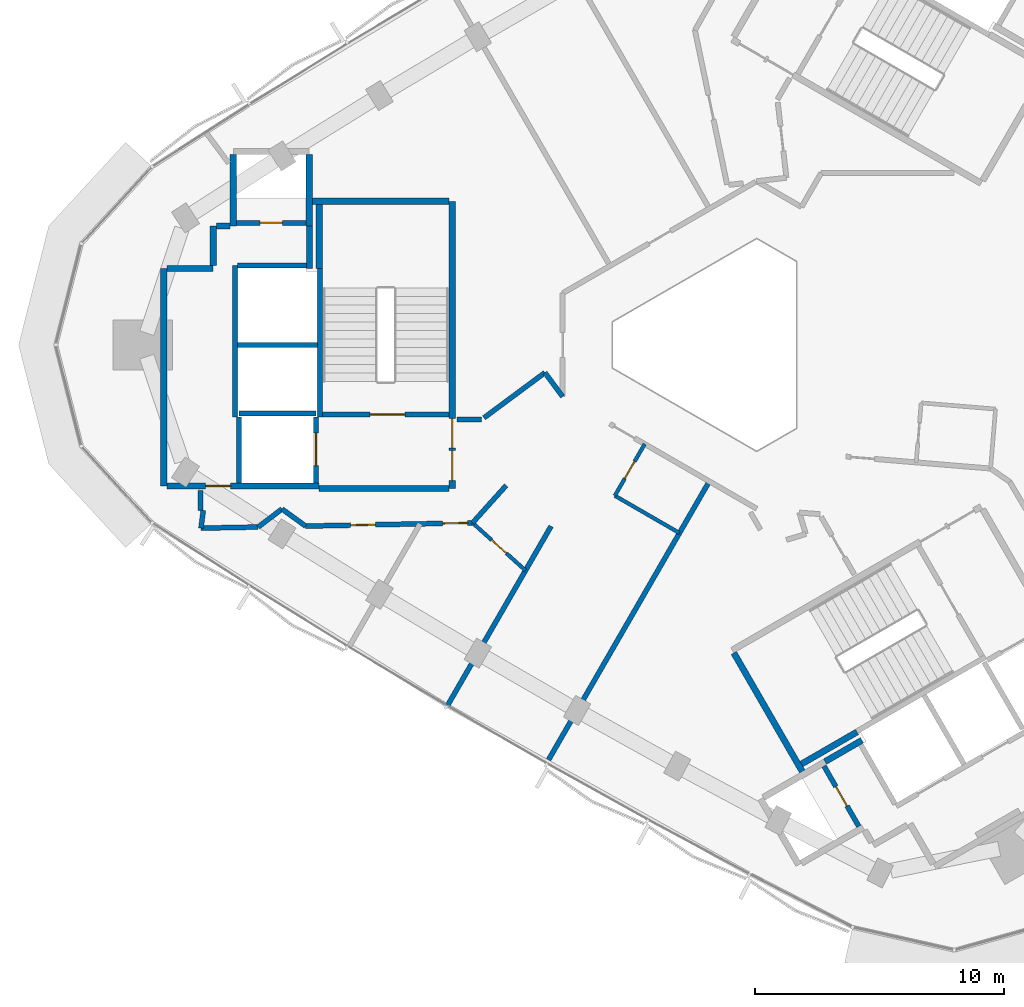
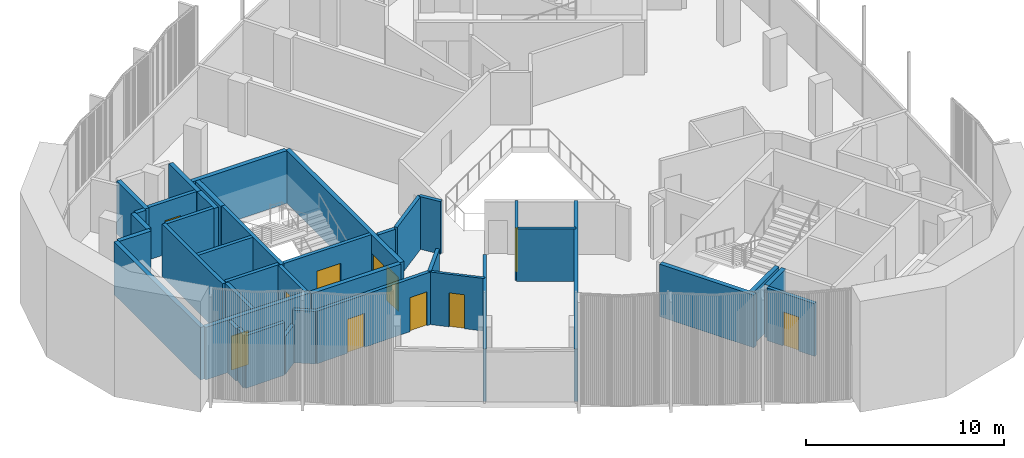
# One storey, part 6 of 12: 40 walls, 11 doors, 11 openings.
"""IFC4 building model written with IfcOpenShell, lengths in metres."""

from ifc_helpers import new_model, si_unit, direction, frame, frame_2d, origin, place, context, subcontext, project, spatial, rectangle, extrude, material, layer, layer_set, type_object, element, fill, save


model = new_model("IFC4")

# Units and contexts
model_context = context("Model", 3, precision=1e-05, world=origin(), true_north=direction((0.0, 1.0)))
body_context = subcontext(model_context, "Body", "Model", "MODEL_VIEW")
ifc_project = project(units=[si_unit("LENGTHUNIT", "METRE"), si_unit("AREAUNIT", "SQUARE_METRE"), si_unit("VOLUMEUNIT", "CUBIC_METRE"), si_unit("PLANEANGLEUNIT", "RADIAN"), si_unit("MASSUNIT", "GRAM", prefix="KILO")], contexts=[model_context])

# Site, building, storey
site_placement = place(None, origin())
site = spatial("IfcSite", under=ifc_project, at=site_placement, CompositionType="ELEMENT")
building_placement = place(site_placement, origin())
building = spatial("IfcBuilding", under=site, at=building_placement, Name="Tamra Quay Hotel Tower", CompositionType="ELEMENT")
storey_placement = place(building_placement, frame((0.0, 0.0, 273.0)))
storey = spatial("IfcBuildingStorey", under=building, at=storey_placement, Name="L69", CompositionType="ELEMENT", Elevation=273.0)

# Walls
ifc_material_1 = material(Name="Concrete M70", Category="concrete")
ifc_layer_1 = layer(ifc_material_1, 0.199951171875)
ifc_layer_set_1 = layer_set([ifc_layer_1], Name="Concrete M70 core wall 200")
wall_type_1 = type_object("IfcWallType", Name="Concrete M70 core wall 200", PredefinedType="SHEAR", material=ifc_layer_set_1)
wall_1_placement = place(storey_placement, frame((-16.162109375, 3.073974609375, 0.0), z_axis=(0.0, 0.0, 1.0), x_axis=(0.0, -1.0, 0.0)))
element("IfcWall", 1, at=wall_1_placement, inside=storey, type_object=wall_type_1, Name="CW2", PredefinedType="SHEAR", context=body_context, shape_type="SweptSolid", body=[
    extrude(rectangle(XDim=5.97412109375, YDim=0.199951171875, at=frame_2d((2.987060546875, 0.0))), origin(), (0.0, 0.0, 1.0), 3.25),
])
wall_2_placement = place(storey_placement, frame((-19.5625, -2.900146484375, 0.0), z_axis=(0.0, 0.0, 1.0), x_axis=(0.0, 1.0, 0.0)))
element("IfcWall", 2, at=wall_2_placement, inside=storey, type_object=wall_type_1, Name="CW2", PredefinedType="SHEAR", context=body_context, shape_type="SweptSolid", body=[
    extrude(rectangle(XDim=6.100341796875, YDim=0.199951171875, at=frame_2d((3.05029296875, 0.0))), origin(), (0.0, 0.0, 1.0), 3.25),
])

# Wall, opening, door
wall_3_placement = place(storey_placement, frame((-10.96337890625, -2.800048828125, 0.0), z_axis=(0.0, 0.0, 1.0), x_axis=(-1.0, 0.0, 0.0)))
wall_3 = element("IfcWall", 3, at=wall_3_placement, inside=storey, type_object=wall_type_1, Name="CW2", PredefinedType="SHEAR", context=body_context, shape_type="SweptSolid", body=[
    extrude(rectangle(XDim=5.097900390625, YDim=0.199951171875, at=frame_2d((2.548828125, 0.0))), origin(), (0.0, 0.0, 1.0), 3.25),
])
opening_1_placement = place(wall_3_placement, frame((1.77392578125, 0.0, 0.0)))
opening_1 = element("IfcOpeningElement", 4, at=opening_1_placement, cuts=wall_3, Name="Opening FD2", PredefinedType="OPENING", context=body_context, shape_type="SweptSolid", body=[
    extrude(rectangle(XDim=1.39990234375, YDim=2.10009765625, at=frame_2d((0.699951171875, 1.050048828125))), frame((0.0, 0.10986328125, 0.0), z_axis=(0.0, -1.0, 0.0), x_axis=(1.0, 0.0, 0.0)), (0.0, 0.0, 1.0), 0.219970703125),
])
ifc_material_2 = material(Name="Core door FD2 1400x2100 RH")
door_type_1 = type_object("IfcDoorType", Name="Core door FD2 1400x2100 RH", OperationType="NOTDEFINED", PredefinedType="DOOR", material=ifc_material_2)
door_1_placement = place(opening_1_placement, origin())
door_1 = element("IfcDoor", 5, at=door_1_placement, inside=storey, type_object=door_type_1, Name="FD2", OperationType="SINGLE_SWING_RIGHT", OverallHeight=2.10009765625, OverallWidth=1.39990234375, PredefinedType="DOOR", context=body_context, shape_type="SweptSolid", body=[
    extrude(rectangle(XDim=1.39990234375, YDim=2.10009765625, at=frame_2d((0.699951171875, 1.050048828125))), frame((0.0, 0.02490234375, 0.0), z_axis=(0.0, -1.0, 0.0), x_axis=(1.0, 0.0, 0.0)), (0.0, 0.0, 1.0), 0.050048828125),
])
fill(opening_1, door_1)

# Wall
wall_4_placement = place(storey_placement, frame((-16.26318359375, 0.0, 0.0), z_axis=(0.0, 0.0, 1.0), x_axis=(-1.0, 0.0, 0.0)))
element("IfcWall", 6, at=wall_4_placement, inside=storey, type_object=wall_type_1, Name="CW2", PredefinedType="SHEAR", context=body_context, shape_type="SweptSolid", body=[
    extrude(rectangle(XDim=3.1982421875, YDim=0.199951171875, at=frame_2d((1.59912109375, 0.0))), origin(), (0.0, 0.0, 1.0), 3.25),
])

# Wall, opening, door
wall_5_placement = place(storey_placement, frame((-19.51123046875, 4.91015625, 0.0), z_axis=(0.0, 0.0, 1.0), x_axis=(1.0, 0.0, 0.0)))
wall_5 = element("IfcWall", 7, at=wall_5_placement, inside=storey, type_object=wall_type_1, Name="CW2", PredefinedType="SHEAR", context=body_context, shape_type="SweptSolid", body=[
    extrude(rectangle(XDim=2.7978515625, YDim=0.199951171875, at=frame_2d((1.39892578125, 0.0))), origin(), (0.0, 0.0, 1.0), 3.25),
])
opening_2_placement = place(wall_5_placement, frame((0.948974609375, 0.0, 0.0)))
opening_2 = element("IfcOpeningElement", 8, at=opening_2_placement, cuts=wall_5, Name="Opening D1", PredefinedType="OPENING", context=body_context, shape_type="SweptSolid", body=[
    extrude(rectangle(XDim=0.89990234375, YDim=2.10009765625, at=frame_2d((0.449951171875, 1.050048828125))), frame((0.0, 0.10986328125, 0.0), z_axis=(0.0, -1.0, 0.0), x_axis=(1.0, 0.0, 0.0)), (0.0, 0.0, 1.0), 0.219970703125),
])
ifc_material_3 = material(Name="Core door D1 900x2100 LH")
door_type_2 = type_object("IfcDoorType", Name="Core door D1 900x2100 LH", OperationType="NOTDEFINED", PredefinedType="DOOR", material=ifc_material_3)
door_2_placement = place(opening_2_placement, origin())
door_2 = element("IfcDoor", 9, at=door_2_placement, inside=storey, type_object=door_type_2, Name="D1", OperationType="SINGLE_SWING_LEFT", OverallHeight=2.10009765625, OverallWidth=0.89990234375, PredefinedType="DOOR", context=body_context, shape_type="SweptSolid", body=[
    extrude(rectangle(XDim=0.89990234375, YDim=2.10009765625, at=frame_2d((0.449951171875, 1.050048828125))), frame((0.0, 0.02490234375, 0.0), z_axis=(0.0, -1.0, 0.0), x_axis=(1.0, 0.0, 0.0)), (0.0, 0.0, 1.0), 0.050048828125),
])
fill(opening_2, door_2)

# Walls
wall_6_placement = place(storey_placement, frame((-19.46240234375, 3.2001953125, 0.0), z_axis=(0.0, 0.0, 1.0), x_axis=(1.0, 0.0, 0.0)))
element("IfcWall", 10, at=wall_6_placement, inside=storey, type_object=wall_type_1, Name="CW2", PredefinedType="SHEAR", context=body_context, shape_type="SweptSolid", body=[
    extrude(rectangle(XDim=2.759033203125, YDim=0.199951171875, at=frame_2d((1.37939453125, 0.0))), origin(), (0.0, 0.0, 1.0), 3.25),
])
wall_7_placement = place(storey_placement, frame((-19.412353515625, -2.75, 0.0), z_axis=(0.0, 0.0, 1.0), x_axis=(1.0, 0.0, 0.0)))
element("IfcWall", 11, at=wall_7_placement, inside=storey, type_object=wall_type_1, Name="CW2", PredefinedType="SHEAR", context=body_context, shape_type="SweptSolid", body=[
    extrude(rectangle(XDim=3.10009765625, YDim=0.199951171875, at=frame_2d((1.550048828125, 0.0))), origin(), (0.0, 0.0, 1.0), 3.25),
])

# Wall, opening, door
wall_8_placement = place(storey_placement, frame((-16.312255859375, -2.898193359375, 0.0), z_axis=(0.0, 0.0, 1.0), x_axis=(0.0, -1.0, 0.0)))
wall_8 = element("IfcWall", 12, at=wall_8_placement, inside=storey, type_object=wall_type_1, Name="CW2", PredefinedType="SHEAR", context=body_context, shape_type="SweptSolid", body=[
    extrude(rectangle(XDim=2.65087890625, YDim=0.199951171875, at=frame_2d((1.325439453125, 0.0))), origin(), (0.0, 0.0, 1.0), 3.25),
])
opening_3_placement = place(wall_8_placement, frame((0.65185546875, 0.0, 0.0)))
opening_3 = element("IfcOpeningElement", 13, at=opening_3_placement, cuts=wall_8, Name="Opening LD", PredefinedType="OPENING", context=body_context, shape_type="SweptSolid", body=[
    extrude(rectangle(XDim=1.300048828125, YDim=2.10009765625, at=frame_2d((0.64990234375, 1.050048828125))), frame((0.0, 0.10986328125, 0.0), z_axis=(0.0, -1.0, 0.0), x_axis=(1.0, 0.0, 0.0)), (0.0, 0.0, 1.0), 0.219970703125),
])
ifc_material_4 = material(Name="Landing door LD 1300 sliding to right")
door_type_3 = type_object("IfcDoorType", Name="Landing door LD 1300 sliding to right", OperationType="NOTDEFINED", PredefinedType="DOOR", material=ifc_material_4)
door_3_placement = place(opening_3_placement, origin())
door_3 = element("IfcDoor", 14, at=door_3_placement, inside=storey, type_object=door_type_3, Name="LD", OperationType="SLIDING_TO_RIGHT", OverallHeight=2.10009765625, OverallWidth=1.300048828125, PredefinedType="DOOR", context=body_context, shape_type="SweptSolid", body=[
    extrude(rectangle(XDim=1.300048828125, YDim=2.10009765625, at=frame_2d((0.64990234375, 1.050048828125))), frame((0.0, 0.02490234375, 0.0), z_axis=(0.0, -1.0, 0.0), x_axis=(1.0, 0.0, 0.0)), (0.0, 0.0, 1.0), 0.050048828125),
])
fill(opening_3, door_3)

# Wall
wall_9_placement = place(storey_placement, frame((-19.412353515625, -5.549072265625, 0.0), z_axis=(0.0, 0.0, 1.0), x_axis=(0.0, 1.0, 0.0)))
element("IfcWall", 15, at=wall_9_placement, inside=storey, type_object=wall_type_1, Name="CW2", PredefinedType="SHEAR", context=body_context, shape_type="SweptSolid", body=[
    extrude(rectangle(XDim=2.65087890625, YDim=0.199951171875, at=frame_2d((1.325439453125, 0.0))), origin(), (0.0, 0.0, 1.0), 3.25),
])

# Wall, opening, door
wall_10_placement = place(storey_placement, frame((5.50341796875, -19.352294921875, 0.0), z_axis=(0.0, 0.0, 1.0), x_axis=(-0.499986818241, 0.866033014143, 0.0)))
wall_10 = element("IfcWall", 16, at=wall_10_placement, inside=storey, type_object=wall_type_1, Name="CW2", PredefinedType="SHEAR", context=body_context, shape_type="SweptSolid", body=[
    extrude(rectangle(XDim=2.7978515625, YDim=0.199951171875, at=frame_2d((1.39892578125, 0.0))), origin(), (0.0, 0.0, 1.0), 3.25),
])
opening_4_placement = place(wall_10_placement, frame((0.948974609375, 0.0, 0.0)))
opening_4 = element("IfcOpeningElement", 17, at=opening_4_placement, cuts=wall_10, Name="Opening D1", PredefinedType="OPENING", context=body_context, shape_type="SweptSolid", body=[
    extrude(rectangle(XDim=0.89990234375, YDim=2.10009765625, at=frame_2d((0.449951171875, 1.050048828125))), frame((0.0, 0.10986328125, 0.0), z_axis=(0.0, -1.0, 0.0), x_axis=(1.0, 0.0, 0.0)), (0.0, 0.0, 1.0), 0.219970703125),
])
ifc_material_5 = material(Name="Core door D1 900x2100 RH")
door_type_4 = type_object("IfcDoorType", Name="Core door D1 900x2100 RH", OperationType="NOTDEFINED", PredefinedType="DOOR", material=ifc_material_5)
door_4_placement = place(opening_4_placement, origin())
door_4 = element("IfcDoor", 18, at=door_4_placement, inside=storey, type_object=door_type_4, Name="D1", OperationType="SINGLE_SWING_RIGHT", OverallHeight=2.10009765625, OverallWidth=0.89990234375, PredefinedType="DOOR", context=body_context, shape_type="SweptSolid", body=[
    extrude(rectangle(XDim=0.89990234375, YDim=2.10009765625, at=frame_2d((0.449951171875, 1.050048828125))), frame((0.0, 0.02490234375, 0.0), z_axis=(0.0, -1.0, 0.0), x_axis=(1.0, 0.0, 0.0)), (0.0, 0.0, 1.0), 0.050048828125),
])
fill(opening_4, door_4)

# Wall, openings, doors
ifc_layer_2 = layer(ifc_material_1, 0.25)
ifc_layer_set_2 = layer_set([ifc_layer_2], Name="Concrete M70 core wall 250")
wall_type_2 = type_object("IfcWallType", Name="Concrete M70 core wall 250", PredefinedType="SHEAR", material=ifc_layer_set_2)
wall_11_placement = place(storey_placement, frame((-10.83740234375, 5.77490234375, 0.0), z_axis=(0.0, 0.0, 1.0), x_axis=(0.0, -1.0, 0.0)))
wall_11 = element("IfcWall", 19, at=wall_11_placement, inside=storey, type_object=wall_type_2, Name="CW1", PredefinedType="SHEAR", context=body_context, shape_type="SweptSolid", body=[
    extrude(rectangle(XDim=11.5498046875, YDim=0.25, at=frame_2d((5.77490234375, 0.0))), origin(), (0.0, 0.0, 1.0), 3.25),
])
opening_5_placement = place(wall_11_placement, frame((10.02490234375, 0.0, 0.0)))
opening_5 = element("IfcOpeningElement", 20, at=opening_5_placement, cuts=wall_11, Name="Opening FD1", PredefinedType="OPENING", context=body_context, shape_type="SweptSolid", body=[
    extrude(rectangle(XDim=1.199951171875, YDim=2.10009765625, at=frame_2d((0.60009765625, 1.050048828125))), frame((0.0, 0.135009765625, 0.0), z_axis=(0.0, -1.0, 0.0), x_axis=(1.0, 0.0, 0.0)), (0.0, 0.0, 1.0), 0.27001953125),
])
opening_6_placement = place(wall_11_placement, frame((8.72509765625, 0.0, 0.0)))
opening_6 = element("IfcOpeningElement", 21, at=opening_6_placement, cuts=wall_11, Name="Opening FD1", PredefinedType="OPENING", context=body_context, shape_type="SweptSolid", body=[
    extrude(rectangle(XDim=1.199951171875, YDim=2.10009765625, at=frame_2d((0.60009765625, 1.050048828125))), frame((0.0, 0.135009765625, 0.0), z_axis=(0.0, -1.0, 0.0), x_axis=(1.0, 0.0, 0.0)), (0.0, 0.0, 1.0), 0.27001953125),
])
ifc_material_6 = material(Name="Core door FD1 1200x2100 LH")
door_type_5 = type_object("IfcDoorType", Name="Core door FD1 1200x2100 LH", OperationType="NOTDEFINED", PredefinedType="DOOR", material=ifc_material_6)
door_5_placement = place(opening_5_placement, origin())
door_5 = element("IfcDoor", 22, at=door_5_placement, inside=storey, type_object=door_type_5, Name="FD1", OperationType="SINGLE_SWING_LEFT", OverallHeight=2.10009765625, OverallWidth=1.199951171875, PredefinedType="DOOR", context=body_context, shape_type="SweptSolid", body=[
    extrude(rectangle(XDim=1.199951171875, YDim=2.10009765625, at=frame_2d((0.60009765625, 1.050048828125))), frame((0.0, 0.02490234375, 0.0), z_axis=(0.0, -1.0, 0.0), x_axis=(1.0, 0.0, 0.0)), (0.0, 0.0, 1.0), 0.050048828125),
])
fill(opening_5, door_5)
ifc_material_7 = material(Name="Core door FD1 1200x2100 RH")
door_type_6 = type_object("IfcDoorType", Name="Core door FD1 1200x2100 RH", OperationType="NOTDEFINED", PredefinedType="DOOR", material=ifc_material_7)
door_6_placement = place(opening_6_placement, origin())
door_6 = element("IfcDoor", 23, at=door_6_placement, inside=storey, type_object=door_type_6, Name="FD1", OperationType="SINGLE_SWING_RIGHT", OverallHeight=2.10009765625, OverallWidth=1.199951171875, PredefinedType="DOOR", context=body_context, shape_type="SweptSolid", body=[
    extrude(rectangle(XDim=1.199951171875, YDim=2.10009765625, at=frame_2d((0.60009765625, 1.050048828125))), frame((0.0, 0.02490234375, 0.0), z_axis=(0.0, -1.0, 0.0), x_axis=(1.0, 0.0, 0.0)), (0.0, 0.0, 1.0), 0.050048828125),
])
fill(opening_6, door_6)

# Wall
wall_12_placement = place(storey_placement, frame((-22.437255859375, -5.675048828125, 0.0), z_axis=(0.0, 0.0, 1.0), x_axis=(0.0, 1.0, 0.0)))
element("IfcWall", 24, at=wall_12_placement, inside=storey, type_object=wall_type_2, Name="CW1", PredefinedType="SHEAR", context=body_context, shape_type="SweptSolid", body=[
    extrude(rectangle(XDim=8.75, YDim=0.25, at=frame_2d((4.375, 0.0))), origin(), (0.0, 0.0, 1.0), 3.25),
])

# Wall, opening, door
wall_13_placement = place(storey_placement, frame((-16.187255859375, -5.675048828125, 0.0), z_axis=(0.0, 0.0, 1.0), x_axis=(-1.0, 0.0, 0.0)))
wall_13 = element("IfcWall", 25, at=wall_13_placement, inside=storey, type_object=wall_type_2, Name="CW1", PredefinedType="SHEAR", context=body_context, shape_type="SweptSolid", body=[
    extrude(rectangle(XDim=6.12451171875, YDim=0.25, at=frame_2d((3.062255859375, 0.0))), origin(), (0.0, 0.0, 1.0), 3.25),
])
opening_7_placement = place(wall_13_placement, frame((3.562744140625, 0.0, 0.0)))
opening_7 = element("IfcOpeningElement", 26, at=opening_7_placement, cuts=wall_13, Name="Opening FD3", PredefinedType="OPENING", context=body_context, shape_type="SweptSolid", body=[
    extrude(rectangle(XDim=1.0, YDim=2.10009765625, at=frame_2d((0.5, 1.050048828125))), frame((0.0, 0.135009765625, 0.0), z_axis=(0.0, -1.0, 0.0), x_axis=(1.0, 0.0, 0.0)), (0.0, 0.0, 1.0), 0.27001953125),
])
ifc_material_8 = material(Name="Core door FD3 1000x2100 LH")
door_type_7 = type_object("IfcDoorType", Name="Core door FD3 1000x2100 LH", OperationType="NOTDEFINED", PredefinedType="DOOR", material=ifc_material_8)
door_7_placement = place(opening_7_placement, origin())
door_7 = element("IfcDoor", 27, at=door_7_placement, inside=storey, type_object=door_type_7, Name="FD3", OperationType="SINGLE_SWING_LEFT", OverallHeight=2.10009765625, OverallWidth=1.0, PredefinedType="DOOR", context=body_context, shape_type="SweptSolid", body=[
    extrude(rectangle(XDim=1.0, YDim=2.10009765625, at=frame_2d((0.5, 1.050048828125))), frame((0.0, 0.02490234375, 0.0), z_axis=(0.0, -1.0, 0.0), x_axis=(1.0, 0.0, 0.0)), (0.0, 0.0, 1.0), 0.050048828125),
])
fill(opening_7, door_7)

# Walls
wall_14_placement = place(storey_placement, frame((-10.962646484375, -5.77490234375, 0.0), z_axis=(0.0, 0.0, 1.0), x_axis=(-1.0, 0.0, 0.0)))
element("IfcWall", 28, at=wall_14_placement, inside=storey, type_object=wall_type_2, Name="CW1", PredefinedType="SHEAR", context=body_context, shape_type="SweptSolid", body=[
    extrude(rectangle(XDim=5.224609375, YDim=0.25, at=frame_2d((2.6123046875, 0.0))), origin(), (0.0, 0.0, 1.0), 3.25),
])
wall_15_placement = place(storey_placement, frame((-16.47216796875, 5.77490234375, 0.0), z_axis=(0.0, 0.0, 1.0), x_axis=(1.0, 0.0, 0.0)))
element("IfcWall", 29, at=wall_15_placement, inside=storey, type_object=wall_type_2, Name="CW1", PredefinedType="SHEAR", context=body_context, shape_type="SweptSolid", body=[
    extrude(rectangle(XDim=5.509521484375, YDim=0.25, at=frame_2d((2.7548828125, 0.0))), origin(), (0.0, 0.0, 1.0), 3.25),
])
for number, where, z_axis, x_axis, name in (
    (30, (-16.58740234375, 7.649658203125, 0.0), (0.0, 0.0, 1.0), (0.0, -1.0, 0.0), "CW1"),
    (31, (-19.63720703125, 4.784912109375, 0.0), (0.0, 0.0, 1.0), (0.0, 1.0, 0.0), "CW1"),
):
    element("IfcWall", number, at=place(storey_placement, frame(where, z_axis=z_axis, x_axis=x_axis)), inside=storey, type_object=wall_type_2, Name=name, PredefinedType="SHEAR", context=body_context, shape_type="SweptSolid", body=[
        extrude(rectangle(XDim=2.86474609375, YDim=0.25, at=frame_2d((1.432373046875, 0.0))), origin(), (0.0, 0.0, 1.0), 3.25),
    ])
wall_16_placement = place(storey_placement, frame((-16.187255859375, 3.074951171875, 0.0), z_axis=(0.0, 0.0, 1.0), x_axis=(0.0, 1.0, 0.0)))
element("IfcWall", 32, at=wall_16_placement, inside=storey, type_object=wall_type_2, Name="CW1", PredefinedType="SHEAR", context=body_context, shape_type="SweptSolid", body=[
    extrude(rectangle(XDim=2.57470703125, YDim=0.25, at=frame_2d((1.287353515625, 0.0))), origin(), (0.0, 0.0, 1.0), 3.25),
])
wall_17_placement = place(storey_placement, frame((-22.311767578125, 3.074951171875, 0.0), z_axis=(0.0, 0.0, 1.0), x_axis=(1.0, 0.0, 0.0)))
element("IfcWall", 33, at=wall_17_placement, inside=storey, type_object=wall_type_2, Name="CW1", PredefinedType="SHEAR", context=body_context, shape_type="SweptSolid", body=[
    extrude(rectangle(XDim=1.864501953125, YDim=0.25, at=frame_2d((0.93212890625, 0.0))), origin(), (0.0, 0.0, 1.0), 3.25),
])
wall_18_placement = place(storey_placement, frame((-16.577392578125, 4.784912109375, 0.0), z_axis=(0.0, 0.0, 1.0), x_axis=(0.0, -1.0, 0.0)))
element("IfcWall", 34, at=wall_18_placement, inside=storey, type_object=wall_type_2, Name="CW1", PredefinedType="SHEAR", context=body_context, shape_type="SweptSolid", body=[
    extrude(rectangle(XDim=1.7099609375, YDim=0.25, at=frame_2d((0.85498046875, 0.0))), origin(), (0.0, 0.0, 1.0), 3.25),
])
wall_19_placement = place(storey_placement, frame((-20.447265625, 3.200439453125, 0.0), z_axis=(0.0, 0.0, 1.0), x_axis=(0.0, 1.0, 0.0)))
element("IfcWall", 35, at=wall_19_placement, inside=storey, type_object=wall_type_2, Name="CW1", PredefinedType="SHEAR", context=body_context, shape_type="SweptSolid", body=[
    extrude(rectangle(XDim=1.58447265625, YDim=0.25, at=frame_2d((0.792236328125, 0.0))), origin(), (0.0, 0.0, 1.0), 3.25),
])
wall_20_placement = place(storey_placement, frame((-20.32177734375, 4.784912109375, 0.0), z_axis=(0.0, 0.0, 1.0), x_axis=(1.0, 0.0, 0.0)))
element("IfcWall", 36, at=wall_20_placement, inside=storey, type_object=wall_type_2, Name="CW1", PredefinedType="SHEAR", context=body_context, shape_type="SweptSolid", body=[
    extrude(rectangle(XDim=0.55908203125, YDim=0.25, at=frame_2d((0.279541015625, 0.0))), origin(), (0.0, 0.0, 1.0), 3.25),
])
wall_21_placement = place(storey_placement, frame((3.23486328125, -17.15283203125, 0.0), z_axis=(0.0, 0.0, 1.0), x_axis=(-0.500008851346, 0.866020293397, 0.0)))
element("IfcWall", 37, at=wall_21_placement, inside=storey, type_object=wall_type_2, Name="CW1", PredefinedType="SHEAR", context=body_context, shape_type="SweptSolid", body=[
    extrude(rectangle(XDim=5.509765625, YDim=0.25, at=frame_2d((2.7548828125, 0.0))), origin(), (0.0, 0.0, 1.0), 3.25),
])
wall_22_placement = place(storey_placement, frame((5.4306640625, -15.55615234375, 0.0), z_axis=(0.0, 0.0, 1.0), x_axis=(-0.866022940537, -0.500004266446, 0.0)))
element("IfcWall", 38, at=wall_22_placement, inside=storey, type_object=wall_type_2, Name="CW1", PredefinedType="SHEAR", context=body_context, shape_type="SweptSolid", body=[
    extrude(rectangle(XDim=2.57470703125, YDim=0.25, at=frame_2d((1.287353515625, 0.0))), origin(), (0.0, 0.0, 1.0), 3.25),
])
wall_23_placement = place(storey_placement, frame((4.144775390625, -16.748779296875, 0.0), z_axis=(0.0, 0.0, 1.0), x_axis=(0.866038183914, 0.499977863513, 0.0)))
element("IfcWall", 39, at=wall_23_placement, inside=storey, type_object=wall_type_2, Name="CW1", PredefinedType="SHEAR", context=body_context, shape_type="SweptSolid", body=[
    extrude(rectangle(XDim=1.7099609375, YDim=0.25, at=frame_2d((0.85498046875, 0.0))), origin(), (0.0, 0.0, 1.0), 3.25),
])
ifc_material_9 = material(Name="Partition corridor wall")
ifc_layer_3 = layer(ifc_material_9, 0.199951171875)
ifc_layer_set_3 = layer_set([ifc_layer_3], Name="Partition corridor wall")
wall_type_3 = type_object("IfcWallType", Name="Partition corridor wall", PredefinedType="PARTITIONING", material=ifc_layer_set_3)
wall_24_placement = place(storey_placement, frame((-20.949951171875, -6.64990234375, 0.0), z_axis=(0.0, 0.0, 1.0), x_axis=(0.0, 1.0, 0.0)))
element("IfcWall", 40, at=wall_24_placement, inside=storey, type_object=wall_type_3, Name="W-C", PredefinedType="PARTITIONING", context=body_context, shape_type="SweptSolid", body=[
    extrude(rectangle(XDim=0.789794921875, YDim=0.199951171875, at=frame_2d((0.39501953125, 0.0))), origin(), (0.0, 0.0, 1.0), 3.25),
])
wall_25_placement = place(storey_placement, frame((-20.93603515625, -7.363037109375, 0.0), z_axis=(0.0, 0.0, 1.0), x_axis=(0.125330520795, 0.992115044013, 0.0)))
element("IfcWall", 41, at=wall_25_placement, inside=storey, type_object=wall_type_3, Name="W-C", PredefinedType="PARTITIONING", context=body_context, shape_type="SweptSolid", body=[
    extrude(rectangle(XDim=0.71875, YDim=0.199951171875, at=frame_2d((0.359375, 0.0))), origin(), (0.0, 0.0, 1.0), 3.25),
])
wall_26_placement = place(storey_placement, frame((-20.93603515625, -7.364013671875, 0.0), z_axis=(0.0, 0.0, 1.0), x_axis=(0.999810389391, 0.019472679998, 0.0)))
element("IfcWall", 42, at=wall_26_placement, inside=storey, type_object=wall_type_3, Name="W-C", PredefinedType="PARTITIONING", context=body_context, shape_type="SweptSolid", body=[
    extrude(rectangle(XDim=2.29443359375, YDim=0.199951171875, at=frame_2d((1.147216796875, 0.0))), origin(), (0.0, 0.0, 1.0), 3.25),
])
wall_27_placement = place(storey_placement, frame((-18.64208984375, -7.319091796875, 0.0), z_axis=(0.0, 0.0, 1.0), x_axis=(0.798707882989, 0.601718968998, 0.0)))
element("IfcWall", 43, at=wall_27_placement, inside=storey, type_object=wall_type_3, Name="W-C", PredefinedType="PARTITIONING", context=body_context, shape_type="SweptSolid", body=[
    extrude(rectangle(XDim=1.203369140625, YDim=0.199951171875, at=frame_2d((0.6015625, 0.0))), origin(), (0.0, 0.0, 1.0), 2.35009765625),
])
wall_28_placement = place(storey_placement, frame((-17.680908203125, -6.594970703125, 0.0), z_axis=(0.0, 0.0, 1.0), x_axis=(0.810123213102, -0.586259652026, 0.0)))
element("IfcWall", 44, at=wall_28_placement, inside=storey, type_object=wall_type_3, Name="W-C", PredefinedType="PARTITIONING", context=body_context, shape_type="SweptSolid", body=[
    extrude(rectangle(XDim=1.170166015625, YDim=0.199951171875, at=frame_2d((0.5849609375, 0.0))), origin(), (0.0, 0.0, 1.0), 3.25),
])

# Wall, openings, doors
wall_29_placement = place(storey_placement, frame((-16.73193359375, -7.281982421875, 0.0), z_axis=(0.0, 0.0, 1.0), x_axis=(0.999809829903, 0.019501385329, 0.0)))
wall_29 = element("IfcWall", 45, at=wall_29_placement, inside=storey, type_object=wall_type_3, Name="W-C", PredefinedType="PARTITIONING", context=body_context, shape_type="SweptSolid", body=[
    extrude(rectangle(XDim=6.710205078125, YDim=0.199951171875, at=frame_2d((3.35498046875, 0.0))), origin(), (0.0, 0.0, 1.0), 3.25),
])
opening_8_placement = place(wall_29_placement, frame((1.806884765625, 0.0, 0.0)))
opening_8 = element("IfcOpeningElement", 46, at=opening_8_placement, cuts=wall_29, Name="Opening L69-D009", PredefinedType="OPENING", context=body_context, shape_type="SweptSolid", body=[
    extrude(rectangle(XDim=1.0, YDim=2.10009765625, at=frame_2d((0.5, 1.050048828125))), frame((0.0, 0.10986328125, 0.0), z_axis=(0.0, -1.0, 0.0), x_axis=(1.0, 0.0, 0.0)), (0.0, 0.0, 1.0), 0.219970703125),
])
opening_9_placement = place(wall_29_placement, frame((5.51025390625, 0.0, 0.0)))
opening_9 = element("IfcOpeningElement", 47, at=opening_9_placement, cuts=wall_29, Name="Opening L69-D010", PredefinedType="OPENING", context=body_context, shape_type="SweptSolid", body=[
    extrude(rectangle(XDim=1.0, YDim=2.10009765625, at=frame_2d((0.5, 1.050048828125))), frame((0.0, 0.10986328125, 0.0), z_axis=(0.0, -1.0, 0.0), x_axis=(1.0, 0.0, 0.0)), (0.0, 0.0, 1.0), 0.219970703125),
])
ifc_material_10 = material(Name="Door guest room 1000x2100")
door_type_8 = type_object("IfcDoorType", Name="Door guest room 1000x2100", OperationType="NOTDEFINED", PredefinedType="DOOR", material=ifc_material_10)
door_8_placement = place(opening_8_placement, origin())
door_8 = element("IfcDoor", 48, at=door_8_placement, inside=storey, type_object=door_type_8, Name="L69-D009", OperationType="SINGLE_SWING_LEFT", OverallHeight=2.10009765625, OverallWidth=1.0, PredefinedType="DOOR", context=body_context, shape_type="SweptSolid", body=[
    extrude(rectangle(XDim=1.0, YDim=2.10009765625, at=frame_2d((0.5, 1.050048828125))), frame((0.0, 0.02490234375, 0.0), z_axis=(0.0, -1.0, 0.0), x_axis=(1.0, 0.0, 0.0)), (0.0, 0.0, 1.0), 0.050048828125),
])
fill(opening_8, door_8)
door_9_placement = place(opening_9_placement, frame((1.0, 0.0, 0.0), z_axis=(0.0, 0.0, 1.0), x_axis=(-1.0, 0.0, 0.0)))
door_9 = element("IfcDoor", 49, at=door_9_placement, inside=storey, type_object=door_type_8, Name="L69-D010", OperationType="SINGLE_SWING_LEFT", OverallHeight=2.10009765625, OverallWidth=1.0, PredefinedType="DOOR", context=body_context, shape_type="SweptSolid", body=[
    extrude(rectangle(XDim=1.0, YDim=2.10009765625, at=frame_2d((0.5, 1.050048828125))), frame((0.0, 0.02490234375, 0.0), z_axis=(0.0, -1.0, 0.0), x_axis=(1.0, 0.0, 0.0)), (0.0, 0.0, 1.0), 0.050048828125),
])
fill(opening_9, door_9)

# Walls
wall_30_placement = place(storey_placement, frame((-10.65234375, -3.0, 0.0), z_axis=(0.0, 0.0, 1.0), x_axis=(1.0, 0.0, 0.0)))
element("IfcWall", 50, at=wall_30_placement, inside=storey, type_object=wall_type_3, Name="W-C", PredefinedType="PARTITIONING", context=body_context, shape_type="SweptSolid", body=[
    extrude(rectangle(XDim=0.994384765625, YDim=0.199951171875, at=frame_2d((0.4970703125, 0.0))), origin(), (0.0, 0.0, 1.0), 3.25),
])
wall_31_placement = place(storey_placement, frame((-10.02294921875, -7.15087890625, 0.0), z_axis=(0.0, 0.0, 1.0), x_axis=(0.668804583793, 0.743438248073, 0.0)))
element("IfcWall", 51, at=wall_31_placement, inside=storey, type_object=wall_type_3, Name="W-C", PredefinedType="PARTITIONING", context=body_context, shape_type="SweptSolid", body=[
    extrude(rectangle(XDim=2.021484375, YDim=0.199951171875, at=frame_2d((1.0107421875, 0.0))), origin(), (0.0, 0.0, 1.0), 3.25),
])
wall_32_placement = place(storey_placement, frame((-7.114990234375, -1.114990234375, 0.0), z_axis=(0.0, 0.0, 1.0), x_axis=(-0.803344165632, -0.595515030495, 0.0)))
element("IfcWall", 52, at=wall_32_placement, inside=storey, type_object=wall_type_3, Name="W-C", PredefinedType="PARTITIONING", context=body_context, shape_type="SweptSolid", body=[
    extrude(rectangle(XDim=3.046142578125, YDim=0.199951171875, at=frame_2d((1.52294921875, 0.0))), origin(), (0.0, 0.0, 1.0), 3.25),
])
wall_33_placement = place(storey_placement, frame((-7.114013671875, -1.114990234375, 0.0), z_axis=(0.0, 0.0, 1.0), x_axis=(0.595690139668, -0.803214328496, 0.0)))
element("IfcWall", 53, at=wall_33_placement, inside=storey, type_object=wall_type_3, Name="W-C", PredefinedType="PARTITIONING", context=body_context, shape_type="SweptSolid", body=[
    extrude(rectangle(XDim=1.19873046875, YDim=0.199951171875, at=frame_2d((0.599365234375, 0.0))), origin(), (0.0, 0.0, 1.0), 3.25),
])

# Wall, opening, door
ifc_material_11 = material(Name="Partition en-suite wall")
ifc_layer_4 = layer(ifc_material_11, 0.14990234375)
ifc_layer_set_4 = layer_set([ifc_layer_4], Name="Partition en-suite wall")
wall_type_4 = type_object("IfcWallType", Name="Partition en-suite wall", PredefinedType="PARTITIONING", material=ifc_layer_set_4)
wall_34_placement = place(storey_placement, frame((-10.02294921875, -7.15087890625, 0.0), z_axis=(0.0, 0.0, 1.0), x_axis=(0.743463699468, -0.668776291127, 0.0)))
wall_34 = element("IfcWall", 54, at=wall_34_placement, inside=storey, type_object=wall_type_4, Name="W-E", PredefinedType="PARTITIONING", context=body_context, shape_type="SweptSolid", body=[
    extrude(rectangle(XDim=2.863525390625, YDim=0.14990234375, at=frame_2d((1.431640625, 0.0))), origin(), (0.0, 0.0, 1.0), 3.25),
])
opening_10_placement = place(wall_34_placement, frame((1.031494140625, 0.0, 0.0)))
opening_10 = element("IfcOpeningElement", 55, at=opening_10_placement, cuts=wall_34, Name="Opening L69-D011", PredefinedType="OPENING", context=body_context, shape_type="SweptSolid", body=[
    extrude(rectangle(XDim=0.800048828125, YDim=2.10009765625, at=frame_2d((0.39990234375, 1.050048828125))), frame((0.0, 0.0849609375, 0.0), z_axis=(0.0, -1.0, 0.0), x_axis=(1.0, 0.0, 0.0)), (0.0, 0.0, 1.0), 0.169921875),
])
ifc_material_12 = material(Name="Door en-suite 800x2100")
door_type_9 = type_object("IfcDoorType", Name="Door en-suite 800x2100", OperationType="NOTDEFINED", PredefinedType="DOOR", material=ifc_material_12)
door_10_placement = place(opening_10_placement, frame((0.800048828125, 0.0, 0.0), z_axis=(0.0, 0.0, 1.0), x_axis=(-1.0, 0.0, 0.0)))
door_10 = element("IfcDoor", 56, at=door_10_placement, inside=storey, type_object=door_type_9, Name="L69-D011", OperationType="SINGLE_SWING_LEFT", OverallHeight=2.10009765625, OverallWidth=0.800048828125, PredefinedType="DOOR", context=body_context, shape_type="SweptSolid", body=[
    extrude(rectangle(XDim=0.800048828125, YDim=2.10009765625, at=frame_2d((0.39990234375, 1.050048828125))), frame((0.0, 0.02490234375, 0.0), z_axis=(0.0, -1.0, 0.0), x_axis=(1.0, 0.0, 0.0)), (0.0, 0.0, 1.0), 0.050048828125),
])
fill(opening_10, door_10)

wall_35_placement = place(storey_placement, frame((-4.302978515625, -6.06005859375, 0.0), z_axis=(0.0, 0.0, 1.0), x_axis=(0.500045362686, 0.865999212041, 0.0)))
wall_35 = element("IfcWall", 57, at=wall_35_placement, inside=storey, type_object=wall_type_4, Name="W-E", PredefinedType="PARTITIONING", context=body_context, shape_type="SweptSolid", body=[
    extrude(rectangle(XDim=2.399658203125, YDim=0.14990234375, at=frame_2d((1.19970703125, 0.0))), origin(), (0.0, 0.0, 1.0), 3.25),
])
opening_11_placement = place(wall_35_placement, frame((0.7998046875, 0.0, 0.0)))
opening_11 = element("IfcOpeningElement", 58, at=opening_11_placement, cuts=wall_35, Name="Opening L69-D013", PredefinedType="OPENING", context=body_context, shape_type="SweptSolid", body=[
    extrude(rectangle(XDim=0.800048828125, YDim=2.10009765625, at=frame_2d((0.39990234375, 1.050048828125))), frame((0.0, 0.0849609375, 0.0), z_axis=(0.0, -1.0, 0.0), x_axis=(1.0, 0.0, 0.0)), (0.0, 0.0, 1.0), 0.169921875),
])
door_11_placement = place(opening_11_placement, frame((0.800048828125, 0.0, 0.0), z_axis=(0.0, 0.0, 1.0), x_axis=(-1.0, 0.0, 0.0)))
door_11 = element("IfcDoor", 59, at=door_11_placement, inside=storey, type_object=door_type_9, Name="L69-D013", OperationType="SINGLE_SWING_LEFT", OverallHeight=2.10009765625, OverallWidth=0.800048828125, PredefinedType="DOOR", context=body_context, shape_type="SweptSolid", body=[
    extrude(rectangle(XDim=0.800048828125, YDim=2.10009765625, at=frame_2d((0.39990234375, 1.050048828125))), frame((0.0, 0.02490234375, 0.0), z_axis=(0.0, -1.0, 0.0), x_axis=(1.0, 0.0, 0.0)), (0.0, 0.0, 1.0), 0.050048828125),
])
fill(opening_11, door_11)

# Walls
wall_36_placement = place(storey_placement, frame((-4.302978515625, -6.06005859375, 0.0), z_axis=(0.0, 0.0, 1.0), x_axis=(0.866010750942, -0.50002537861, 0.0)))
element("IfcWall", 60, at=wall_36_placement, inside=storey, type_object=wall_type_4, Name="W-E", PredefinedType="PARTITIONING", context=body_context, shape_type="SweptSolid", body=[
    extrude(rectangle(XDim=2.999755859375, YDim=0.14990234375, at=frame_2d((1.5, 0.0))), origin(), (0.0, 0.0, 1.0), 3.25),
])
ifc_material_13 = material(Name="Partition party wall")
ifc_layer_5 = layer(ifc_material_13, 0.199951171875)
ifc_layer_set_5 = layer_set([ifc_layer_5], Name="Partition party wall")
wall_type_5 = type_object("IfcWallType", Name="Partition party wall", PredefinedType="PARTITIONING", material=ifc_layer_set_5)
wall_37_placement = place(storey_placement, frame((-11.03466796875, -14.505126953125, 0.0), z_axis=(0.0, 0.0, 1.0), x_axis=(0.50003941366, 0.866002647102, 0.0)))
element("IfcWall", 61, at=wall_37_placement, inside=storey, type_object=wall_type_5, Name="W-P", PredefinedType="PARTITIONING", context=body_context, shape_type="SweptSolid", body=[
    extrude(rectangle(XDim=8.334228515625, YDim=0.199951171875, at=frame_2d((4.1669921875, 0.0))), origin(), (0.0, 0.0, 1.0), 3.25),
])
wall_38_placement = place(storey_placement, frame((-7.04443359375, -16.808837890625, 0.0), z_axis=(0.0, 0.0, 1.0), x_axis=(0.499969679245, 0.866042908773, 0.0)))
element("IfcWall", 62, at=wall_38_placement, inside=storey, type_object=wall_type_5, Name="W-P", PredefinedType="PARTITIONING", context=body_context, shape_type="SweptSolid", body=[
    extrude(rectangle(XDim=13.078857421875, YDim=0.199951171875, at=frame_2d((6.53955078125, 0.0))), origin(), (0.0, 0.0, 1.0), 3.25),
])

save(model, "model.ifc")
